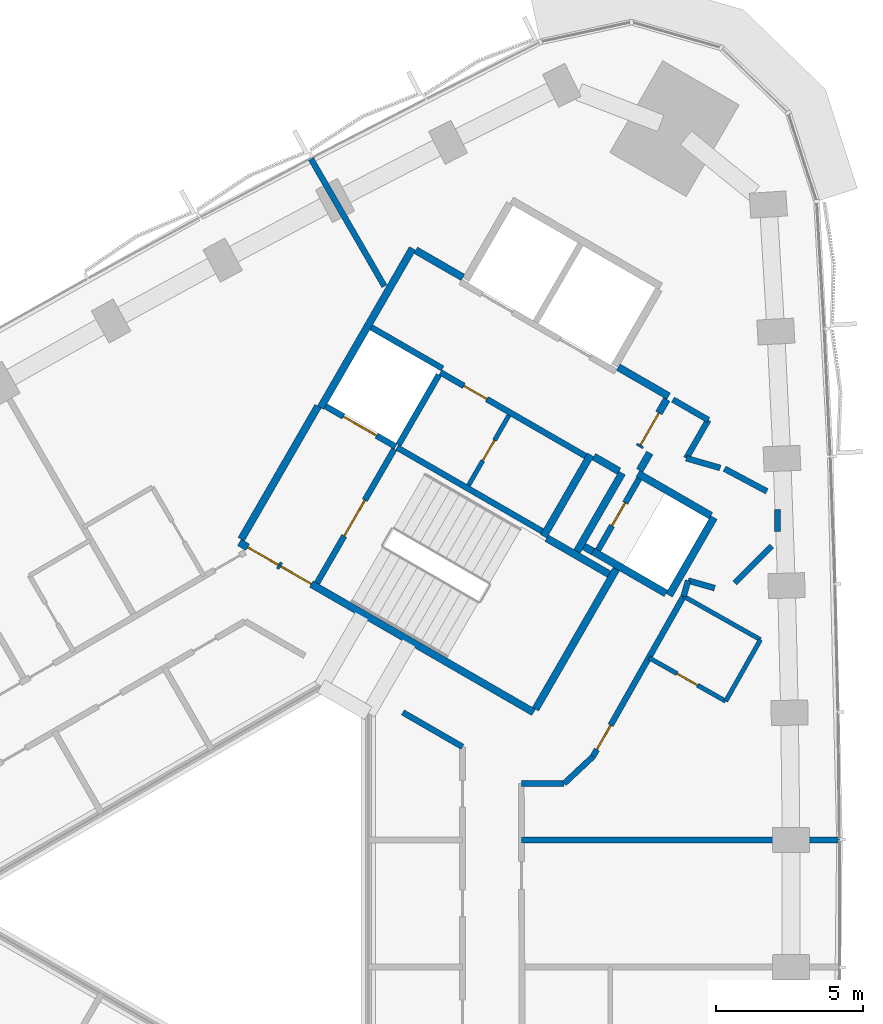
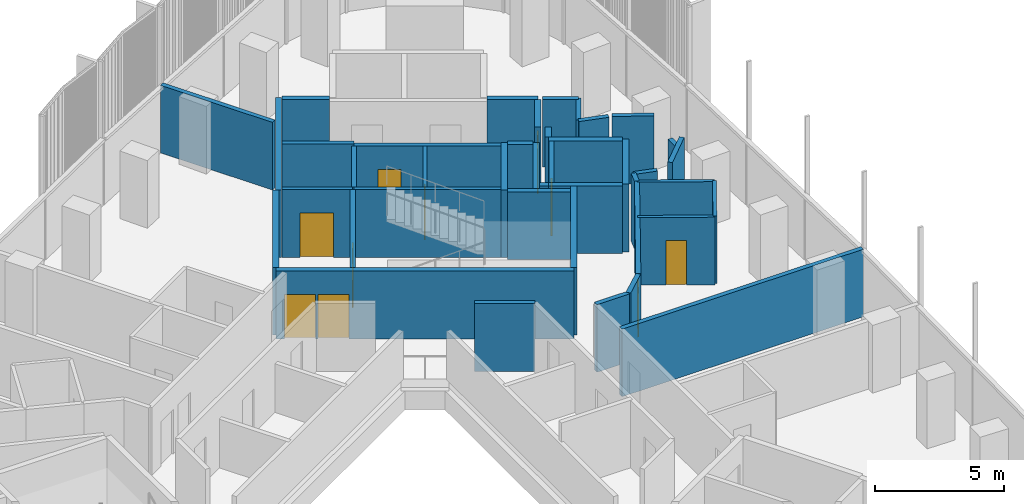
# One storey, part 11 of 15: 41 walls, 10 doors, 10 openings.
"""IFC4 building model written with IfcOpenShell, lengths in metres."""

from ifc_helpers import new_model, si_unit, direction, frame, frame_2d, origin, place, context, subcontext, project, spatial, rectangle, extrude, material, layer, layer_set, type_object, element, fill, save


model = new_model("IFC4")

# Units and contexts
model_context = context("Model", 3, precision=1e-05, world=origin(), true_north=direction((0.0, 1.0)))
body_context = subcontext(model_context, "Body", "Model", "MODEL_VIEW")
ifc_project = project(units=[si_unit("LENGTHUNIT", "METRE"), si_unit("AREAUNIT", "SQUARE_METRE"), si_unit("VOLUMEUNIT", "CUBIC_METRE"), si_unit("PLANEANGLEUNIT", "RADIAN"), si_unit("MASSUNIT", "GRAM", prefix="KILO")], contexts=[model_context])

# Site, building, storey
site_placement = place(None, origin())
site = spatial("IfcSite", under=ifc_project, at=site_placement, CompositionType="ELEMENT")
building_placement = place(site_placement, origin())
building = spatial("IfcBuilding", under=site, at=building_placement, Name="Tamra Quay Hotel Tower", CompositionType="ELEMENT")
storey_placement = place(building_placement, frame((0.0, 0.0, 157.60009765625)))
storey = spatial("IfcBuildingStorey", under=building, at=storey_placement, Name="L39", CompositionType="ELEMENT", Elevation=157.60009765625)

# Wall
ifc_material_1 = material(Name="Concrete M70", Category="concrete")
ifc_layer_1 = layer(ifc_material_1, 0.199951171875)
ifc_layer_set_1 = layer_set([ifc_layer_1], Name="Concrete M70 core wall 200")
wall_type_1 = type_object("IfcWallType", Name="Concrete M70 core wall 200", PredefinedType="SHEAR", material=ifc_layer_set_1)
wall_1_placement = place(storey_placement, frame((5.774658203125, 15.501953125, 0.0), z_axis=(0.0, 0.0, 1.0), x_axis=(0.866020080793, -0.500009219579, 0.0)))
element("IfcWall", 1, at=wall_1_placement, inside=storey, type_object=wall_type_1, Name="CW2", PredefinedType="SHEAR", context=body_context, shape_type="SweptSolid", body=[
    extrude(rectangle(XDim=5.69921875, YDim=0.199951171875, at=frame_2d((2.849609375, 0.0))), origin(), (0.0, 0.0, 1.0), 3.199951171875),
])

# Wall, opening, door
wall_2_placement = place(storey_placement, frame((12.18505859375, 15.20703125, 0.0), z_axis=(0.0, 0.0, 1.0), x_axis=(-0.866020080793, 0.500009219579, 0.0)))
wall_2 = element("IfcWall", 2, at=wall_2_placement, inside=storey, type_object=wall_type_1, Name="CW2", PredefinedType="SHEAR", context=body_context, shape_type="SweptSolid", body=[
    extrude(rectangle(XDim=5.69921875, YDim=0.199951171875, at=frame_2d((2.849609375, 0.0))), origin(), (0.0, 0.0, 1.0), 3.199951171875),
])
opening_1_placement = place(wall_2_placement, frame((3.8740234375, 0.0, 0.0)))
opening_1 = element("IfcOpeningElement", 3, at=opening_1_placement, cuts=wall_2, Name="Opening D2", PredefinedType="OPENING", context=body_context, shape_type="SweptSolid", body=[
    extrude(rectangle(XDim=0.89990234375, YDim=2.10009765625, at=frame_2d((0.449951171875, 1.050048828125))), frame((0.0, 0.10986328125, 0.0), z_axis=(0.0, -1.0, 0.0), x_axis=(1.0, 0.0, 0.0)), (0.0, 0.0, 1.0), 0.219970703125),
])
ifc_material_2 = material(Name="Core door D2 900x2100 RH")
door_type_1 = type_object("IfcDoorType", Name="Core door D2 900x2100 RH", OperationType="NOTDEFINED", PredefinedType="DOOR", material=ifc_material_2)
door_1_placement = place(opening_1_placement, origin())
door_1 = element("IfcDoor", 4, at=door_1_placement, inside=storey, type_object=door_type_1, Name="D2", OperationType="SINGLE_SWING_RIGHT", OverallHeight=2.10009765625, OverallWidth=0.89990234375, PredefinedType="DOOR", context=body_context, shape_type="SweptSolid", body=[
    extrude(rectangle(XDim=0.89990234375, YDim=2.10009765625, at=frame_2d((0.449951171875, 1.050048828125))), frame((0.0, 0.02490234375, 0.0), z_axis=(0.0, -1.0, 0.0), x_axis=(1.0, 0.0, 0.0)), (0.0, 0.0, 1.0), 0.050048828125),
])
fill(opening_1, door_1)

wall_3_placement = place(storey_placement, frame((3.056640625, 10.89453125, 0.0), z_axis=(0.0, 0.0, 1.0), x_axis=(0.499989418164, 0.866031513124, 0.0)))
wall_3 = element("IfcWall", 5, at=wall_3_placement, inside=storey, type_object=wall_type_1, Name="CW2", PredefinedType="SHEAR", context=body_context, shape_type="SweptSolid", body=[
    extrude(rectangle(XDim=5.2509765625, YDim=0.199951171875, at=frame_2d((2.62548828125, 0.0))), origin(), (0.0, 0.0, 1.0), 3.199951171875),
])
opening_2_placement = place(wall_3_placement, frame((1.84912109375, 0.0, 0.0)))
opening_2 = element("IfcOpeningElement", 6, at=opening_2_placement, cuts=wall_3, Name="Opening FD2", PredefinedType="OPENING", context=body_context, shape_type="SweptSolid", body=[
    extrude(rectangle(XDim=1.39990234375, YDim=2.10009765625, at=frame_2d((0.699951171875, 1.050048828125))), frame((0.0, 0.10986328125, 0.0), z_axis=(0.0, -1.0, 0.0), x_axis=(1.0, 0.0, 0.0)), (0.0, 0.0, 1.0), 0.219970703125),
])
ifc_material_3 = material(Name="Core door FD2 1400x2100 LH")
door_type_2 = type_object("IfcDoorType", Name="Core door FD2 1400x2100 LH", OperationType="NOTDEFINED", PredefinedType="DOOR", material=ifc_material_3)
door_2_placement = place(opening_2_placement, origin())
door_2 = element("IfcDoor", 7, at=door_2_placement, inside=storey, type_object=door_type_2, Name="FD2", OperationType="SINGLE_SWING_LEFT", OverallHeight=2.10009765625, OverallWidth=1.39990234375, PredefinedType="DOOR", context=body_context, shape_type="SweptSolid", body=[
    extrude(rectangle(XDim=1.39990234375, YDim=2.10009765625, at=frame_2d((0.699951171875, 1.050048828125))), frame((0.0, 0.02490234375, 0.0), z_axis=(0.0, -1.0, 0.0), x_axis=(1.0, 0.0, 0.0)), (0.0, 0.0, 1.0), 0.050048828125),
])
fill(opening_2, door_2)

wall_4_placement = place(storey_placement, frame((14.0078125, 14.442138671875, 0.0), z_axis=(0.0, 0.0, 1.0), x_axis=(-0.499986818241, -0.866033014143, 0.0)))
wall_4 = element("IfcWall", 8, at=wall_4_placement, inside=storey, type_object=wall_type_1, Name="CW2", PredefinedType="SHEAR", context=body_context, shape_type="SweptSolid", body=[
    extrude(rectangle(XDim=2.7978515625, YDim=0.199951171875, at=frame_2d((1.39892578125, 0.0))), origin(), (0.0, 0.0, 1.0), 3.199951171875),
])
opening_3_placement = place(wall_4_placement, frame((0.948974609375, 0.0, 0.0)))
opening_3 = element("IfcOpeningElement", 9, at=opening_3_placement, cuts=wall_4, Name="Opening D1", PredefinedType="OPENING", context=body_context, shape_type="SweptSolid", body=[
    extrude(rectangle(XDim=0.89990234375, YDim=2.10009765625, at=frame_2d((0.449951171875, 1.050048828125))), frame((0.0, 0.10986328125, 0.0), z_axis=(0.0, -1.0, 0.0), x_axis=(1.0, 0.0, 0.0)), (0.0, 0.0, 1.0), 0.219970703125),
])
ifc_material_4 = material(Name="Core door D1 900x2100 LH")
door_type_3 = type_object("IfcDoorType", Name="Core door D1 900x2100 LH", OperationType="NOTDEFINED", PredefinedType="DOOR", material=ifc_material_4)
door_3_placement = place(opening_3_placement, origin())
door_3 = element("IfcDoor", 10, at=door_3_placement, inside=storey, type_object=door_type_3, Name="D1", OperationType="SINGLE_SWING_LEFT", OverallHeight=2.10009765625, OverallWidth=0.89990234375, PredefinedType="DOOR", context=body_context, shape_type="SweptSolid", body=[
    extrude(rectangle(XDim=0.89990234375, YDim=2.10009765625, at=frame_2d((0.449951171875, 1.050048828125))), frame((0.0, 0.02490234375, 0.0), z_axis=(0.0, -1.0, 0.0), x_axis=(1.0, 0.0, 0.0)), (0.0, 0.0, 1.0), 0.050048828125),
])
fill(opening_3, door_3)

# Wall
wall_5_placement = place(storey_placement, frame((7.199462890625, 17.969970703125, 0.0), z_axis=(0.0, 0.0, 1.0), x_axis=(-0.499968400327, -0.866043647095, 0.0)))
element("IfcWall", 11, at=wall_5_placement, inside=storey, type_object=wall_type_1, Name="CW2", PredefinedType="SHEAR", context=body_context, shape_type="SweptSolid", body=[
    extrude(rectangle(XDim=2.749755859375, YDim=0.199951171875, at=frame_2d((1.375, 0.0))), origin(), (0.0, 0.0, 1.0), 3.199951171875),
])

# Wall, opening, door
wall_6_placement = place(storey_placement, frame((5.72509765625, 15.530517578125, 0.0), z_axis=(0.0, 0.0, 1.0), x_axis=(-0.866037306777, 0.499979382845, 0.0)))
wall_6 = element("IfcWall", 12, at=wall_6_placement, inside=storey, type_object=wall_type_1, Name="CW2", PredefinedType="SHEAR", context=body_context, shape_type="SweptSolid", body=[
    extrude(rectangle(XDim=2.74169921875, YDim=0.199951171875, at=frame_2d((1.370849609375, 0.0))), origin(), (0.0, 0.0, 1.0), 3.199951171875),
])
opening_4_placement = place(wall_6_placement, frame((0.742919921875, 0.0, 0.0)))
opening_4 = element("IfcOpeningElement", 13, at=opening_4_placement, cuts=wall_6, Name="Opening LD", PredefinedType="OPENING", context=body_context, shape_type="SweptSolid", body=[
    extrude(rectangle(XDim=1.300048828125, YDim=2.10009765625, at=frame_2d((0.64990234375, 1.050048828125))), frame((0.0, 0.10986328125, 0.0), z_axis=(0.0, -1.0, 0.0), x_axis=(1.0, 0.0, 0.0)), (0.0, 0.0, 1.0), 0.219970703125),
])
ifc_material_5 = material(Name="Landing door LD 1300 sliding to left")
door_type_4 = type_object("IfcDoorType", Name="Landing door LD 1300 sliding to left", OperationType="NOTDEFINED", PredefinedType="DOOR", material=ifc_material_5)
door_4_placement = place(opening_4_placement, origin())
door_4 = element("IfcDoor", 14, at=door_4_placement, inside=storey, type_object=door_type_4, Name="LD", OperationType="SLIDING_TO_LEFT", OverallHeight=2.10009765625, OverallWidth=1.300048828125, PredefinedType="DOOR", context=body_context, shape_type="SweptSolid", body=[
    extrude(rectangle(XDim=1.300048828125, YDim=2.10009765625, at=frame_2d((0.64990234375, 1.050048828125))), frame((0.0, 0.02490234375, 0.0), z_axis=(0.0, -1.0, 0.0), x_axis=(1.0, 0.0, 0.0)), (0.0, 0.0, 1.0), 0.050048828125),
])
fill(opening_4, door_4)

# Wall
wall_7_placement = place(storey_placement, frame((4.900634765625, 19.5859375, 0.0), z_axis=(0.0, 0.0, 1.0), x_axis=(0.866022890907, -0.500004352405, 0.0)))
element("IfcWall", 15, at=wall_7_placement, inside=storey, type_object=wall_type_1, Name="CW2", PredefinedType="SHEAR", context=body_context, shape_type="SweptSolid", body=[
    extrude(rectangle(XDim=2.798828125, YDim=0.199951171875, at=frame_2d((1.3994140625, 0.0))), origin(), (0.0, 0.0, 1.0), 3.199951171875),
])

# Wall, openings, doors
ifc_layer_2 = layer(ifc_material_1, 0.25)
ifc_layer_set_2 = layer_set([ifc_layer_2], Name="Concrete M70 core wall 250")
wall_type_2 = type_object("IfcWallType", Name="Concrete M70 core wall 250", PredefinedType="SHEAR", material=ifc_layer_set_2)
wall_8_placement = place(storey_placement, frame((10.419921875, 6.497802734375, 0.0), z_axis=(0.0, 0.0, 1.0), x_axis=(-0.866021906294, 0.500006057782, 0.0)))
wall_8 = element("IfcWall", 16, at=wall_8_placement, inside=storey, type_object=wall_type_2, Name="CW1", PredefinedType="SHEAR", context=body_context, shape_type="SweptSolid", body=[
    extrude(rectangle(XDim=11.550048828125, YDim=0.25, at=frame_2d((5.77490234375, 0.0))), origin(), (0.0, 0.0, 1.0), 3.199951171875),
])
opening_5_placement = place(wall_8_placement, frame((10.02490234375, 0.0, 0.0)))
opening_5 = element("IfcOpeningElement", 17, at=opening_5_placement, cuts=wall_8, Name="Opening FD1", PredefinedType="OPENING", context=body_context, shape_type="SweptSolid", body=[
    extrude(rectangle(XDim=1.199951171875, YDim=2.10009765625, at=frame_2d((0.60009765625, 1.050048828125))), frame((0.0, 0.135009765625, 0.0), z_axis=(0.0, -1.0, 0.0), x_axis=(1.0, 0.0, 0.0)), (0.0, 0.0, 1.0), 0.27001953125),
])
opening_6_placement = place(wall_8_placement, frame((8.724853515625, 0.0, 0.0)))
opening_6 = element("IfcOpeningElement", 18, at=opening_6_placement, cuts=wall_8, Name="Opening FD1", PredefinedType="OPENING", context=body_context, shape_type="SweptSolid", body=[
    extrude(rectangle(XDim=1.199951171875, YDim=2.10009765625, at=frame_2d((0.60009765625, 1.050048828125))), frame((0.0, 0.135009765625, 0.0), z_axis=(0.0, -1.0, 0.0), x_axis=(1.0, 0.0, 0.0)), (0.0, 0.0, 1.0), 0.27001953125),
])
ifc_material_6 = material(Name="Core door FD1 1200x2100 LH")
door_type_5 = type_object("IfcDoorType", Name="Core door FD1 1200x2100 LH", OperationType="NOTDEFINED", PredefinedType="DOOR", material=ifc_material_6)
door_5_placement = place(opening_5_placement, origin())
door_5 = element("IfcDoor", 19, at=door_5_placement, inside=storey, type_object=door_type_5, Name="FD1", OperationType="SINGLE_SWING_LEFT", OverallHeight=2.10009765625, OverallWidth=1.199951171875, PredefinedType="DOOR", context=body_context, shape_type="SweptSolid", body=[
    extrude(rectangle(XDim=1.199951171875, YDim=2.10009765625, at=frame_2d((0.60009765625, 1.050048828125))), frame((0.0, 0.02490234375, 0.0), z_axis=(0.0, -1.0, 0.0), x_axis=(1.0, 0.0, 0.0)), (0.0, 0.0, 1.0), 0.050048828125),
])
fill(opening_5, door_5)
ifc_material_7 = material(Name="Core door FD1 1200x2100 RH")
door_type_6 = type_object("IfcDoorType", Name="Core door FD1 1200x2100 RH", OperationType="NOTDEFINED", PredefinedType="DOOR", material=ifc_material_7)
door_6_placement = place(opening_6_placement, origin())
door_6 = element("IfcDoor", 20, at=door_6_placement, inside=storey, type_object=door_type_6, Name="FD1", OperationType="SINGLE_SWING_RIGHT", OverallHeight=2.10009765625, OverallWidth=1.199951171875, PredefinedType="DOOR", context=body_context, shape_type="SweptSolid", body=[
    extrude(rectangle(XDim=1.199951171875, YDim=2.10009765625, at=frame_2d((0.60009765625, 1.050048828125))), frame((0.0, 0.02490234375, 0.0), z_axis=(0.0, -1.0, 0.0), x_axis=(1.0, 0.0, 0.0)), (0.0, 0.0, 1.0), 0.050048828125),
])
fill(opening_6, door_6)

# Walls
wall_9_placement = place(storey_placement, frame((3.178955078125, 16.856201171875, 0.0), z_axis=(0.0, 0.0, 1.0), x_axis=(0.500004234368, 0.866022959057, 0.0)))
element("IfcWall", 21, at=wall_9_placement, inside=storey, type_object=wall_type_2, Name="CW1", PredefinedType="SHEAR", context=body_context, shape_type="SweptSolid", body=[
    extrude(rectangle(XDim=6.25, YDim=0.25, at=frame_2d((3.125, 0.0))), origin(), (0.0, 0.0, 1.0), 3.199951171875),
])
wall_10_placement = place(storey_placement, frame((0.47998046875, 12.38134765625, 0.0), z_axis=(0.0, 0.0, 1.0), x_axis=(0.49999885962, 0.866026062182, 0.0)))
element("IfcWall", 22, at=wall_10_placement, inside=storey, type_object=wall_type_2, Name="CW1", PredefinedType="SHEAR", context=body_context, shape_type="SweptSolid", body=[
    extrude(rectangle(XDim=5.224609375, YDim=0.25, at=frame_2d((2.6123046875, 0.0))), origin(), (0.0, 0.0, 1.0), 3.199951171875),
])
wall_11_placement = place(storey_placement, frame((13.237548828125, 11.3779296875, 0.0), z_axis=(0.0, 0.0, 1.0), x_axis=(-0.500008851346, -0.866020293397, 0.0)))
element("IfcWall", 23, at=wall_11_placement, inside=storey, type_object=wall_type_2, Name="CW1", PredefinedType="SHEAR", context=body_context, shape_type="SweptSolid", body=[
    extrude(rectangle(XDim=5.509765625, YDim=0.25, at=frame_2d((2.7548828125, 0.0))), origin(), (0.0, 0.0, 1.0), 3.199951171875),
])
wall_12_placement = place(storey_placement, frame((12.356689453125, 15.25244140625, 0.0), z_axis=(0.0, 0.0, 1.0), x_axis=(-0.500028443584, -0.866008981251, 0.0)))
element("IfcWall", 24, at=wall_12_placement, inside=storey, type_object=wall_type_2, Name="CW1", PredefinedType="SHEAR", context=body_context, shape_type="SweptSolid", body=[
    extrude(rectangle(XDim=3.199951171875, YDim=0.25, at=frame_2d((1.60009765625, 0.0))), origin(), (0.0, 0.0, 1.0), 3.199951171875),
])
wall_13_placement = place(storey_placement, frame((16.552001953125, 13.118896484375, 0.0), z_axis=(0.0, 0.0, 1.0), x_axis=(-0.499978833458, -0.866037623948, 0.0)))
element("IfcWall", 25, at=wall_13_placement, inside=storey, type_object=wall_type_2, Name="CW1", PredefinedType="SHEAR", context=body_context, shape_type="SweptSolid", body=[
    extrude(rectangle(XDim=3.050048828125, YDim=0.25, at=frame_2d((1.52490234375, 0.0))), origin(), (0.0, 0.0, 1.0), 3.199951171875),
])
wall_14_placement = place(storey_placement, frame((14.91845703125, 10.540283203125, 0.0), z_axis=(0.0, 0.0, 1.0), x_axis=(-0.866063538972, 0.499933942099, 0.0)))
element("IfcWall", 26, at=wall_14_placement, inside=storey, type_object=wall_type_2, Name="CW1", PredefinedType="SHEAR", context=body_context, shape_type="SweptSolid", body=[
    extrude(rectangle(XDim=2.86474609375, YDim=0.25, at=frame_2d((1.432373046875, 0.0))), origin(), (0.0, 0.0, 1.0), 3.199951171875),
])
wall_15_placement = place(storey_placement, frame((13.962646484375, 14.61376953125, 0.0), z_axis=(0.0, 0.0, 1.0), x_axis=(0.866042235819, -0.499970844928, 0.0)))
element("IfcWall", 27, at=wall_15_placement, inside=storey, type_object=wall_type_2, Name="CW1", PredefinedType="SHEAR", context=body_context, shape_type="SweptSolid", body=[
    extrude(rectangle(XDim=2.864501953125, YDim=0.25, at=frame_2d((1.43212890625, 0.0))), origin(), (0.0, 0.0, 1.0), 3.199951171875),
])
wall_16_placement = place(storey_placement, frame((11.887939453125, 11.960693359375, 0.0), z_axis=(0.0, 0.0, 1.0), x_axis=(0.500003324108, 0.866023484601, 0.0)))
element("IfcWall", 28, at=wall_16_placement, inside=storey, type_object=wall_type_2, Name="CW1", PredefinedType="SHEAR", context=body_context, shape_type="SweptSolid", body=[
    extrude(rectangle(XDim=3.0849609375, YDim=0.25, at=frame_2d((1.54248046875, 0.0))), origin(), (0.0, 0.0, 1.0), 3.199951171875),
])
wall_17_placement = place(storey_placement, frame((10.865234375, 12.41845703125, 0.0), z_axis=(0.0, 0.0, 1.0), x_axis=(0.866026229868, -0.499998569178, 0.0)))
element("IfcWall", 29, at=wall_17_placement, inside=storey, type_object=wall_type_2, Name="CW1", PredefinedType="SHEAR", context=body_context, shape_type="SweptSolid", body=[
    extrude(rectangle(XDim=2.44921875, YDim=0.25, at=frame_2d((1.224609375, 0.0))), origin(), (0.0, 0.0, 1.0), 3.199951171875),
])
wall_18_placement = place(storey_placement, frame((13.29736328125, 18.23095703125, 0.0), z_axis=(0.0, 0.0, 1.0), x_axis=(0.866043531843, -0.499968599967, 0.0)))
element("IfcWall", 30, at=wall_18_placement, inside=storey, type_object=wall_type_2, Name="CW1", PredefinedType="SHEAR", context=body_context, shape_type="SweptSolid", body=[
    extrude(rectangle(XDim=1.974853515625, YDim=0.25, at=frame_2d((0.9873046875, 0.0))), origin(), (0.0, 0.0, 1.0), 3.199951171875),
])
wall_19_placement = place(storey_placement, frame((6.41259765625, 22.2060546875, 0.0), z_axis=(0.0, 0.0, 1.0), x_axis=(0.866016279763, -0.500015802937, 0.0)))
element("IfcWall", 31, at=wall_19_placement, inside=storey, type_object=wall_type_2, Name="CW1", PredefinedType="SHEAR", context=body_context, shape_type="SweptSolid", body=[
    extrude(rectangle(XDim=1.84912109375, YDim=0.25, at=frame_2d((0.924560546875, 0.0))), origin(), (0.0, 0.0, 1.0), 3.199951171875),
])

# Wall, opening, door
wall_20_placement = place(storey_placement, frame((14.94482421875, 17.13525390625, 0.0), z_axis=(0.0, 0.0, 1.0), x_axis=(-0.499983108224, -0.866035156036, 0.0)))
wall_20 = element("IfcWall", 32, at=wall_20_placement, inside=storey, type_object=wall_type_2, Name="CW1", PredefinedType="SHEAR", context=body_context, shape_type="SweptSolid", body=[
    extrude(rectangle(XDim=1.86474609375, YDim=0.25, at=frame_2d((0.932373046875, 0.0))), origin(), (0.0, 0.0, 1.0), 3.199951171875),
])
opening_7_placement = place(wall_20_placement, frame((0.53466796875, 0.0, 0.0)))
opening_7 = element("IfcOpeningElement", 33, at=opening_7_placement, cuts=wall_20, Name="Opening FD3", PredefinedType="OPENING", context=body_context, shape_type="SweptSolid", body=[
    extrude(rectangle(XDim=1.25, YDim=2.10009765625, at=frame_2d((0.625, 1.050048828125))), frame((0.0, 0.135009765625, 0.0), z_axis=(0.0, -1.0, 0.0), x_axis=(1.0, 0.0, 0.0)), (0.0, 0.0, 1.0), 0.27001953125),
])
ifc_material_8 = material(Name="Core door FD3 1250x2100 LH")
door_type_7 = type_object("IfcDoorType", Name="Core door FD3 1250x2100 LH", OperationType="NOTDEFINED", PredefinedType="DOOR", material=ifc_material_8)
door_7_placement = place(opening_7_placement, origin())
door_7 = element("IfcDoor", 34, at=door_7_placement, inside=storey, type_object=door_type_7, Name="FD3", OperationType="SINGLE_SWING_LEFT", OverallHeight=2.10009765625, OverallWidth=1.25, PredefinedType="DOOR", context=body_context, shape_type="SweptSolid", body=[
    extrude(rectangle(XDim=1.25, YDim=2.10009765625, at=frame_2d((0.625, 1.050048828125))), frame((0.0, 0.02490234375, 0.0), z_axis=(0.0, -1.0, 0.0), x_axis=(1.0, 0.0, 0.0)), (0.0, 0.0, 1.0), 0.050048828125),
])
fill(opening_7, door_7)

# Walls
wall_21_placement = place(storey_placement, frame((13.322021484375, 14.695068359375, 0.0), z_axis=(0.0, 0.0, 1.0), x_axis=(-0.866017078145, 0.500014420154, 0.0)))
element("IfcWall", 35, at=wall_21_placement, inside=storey, type_object=wall_type_2, Name="CW1", PredefinedType="SHEAR", context=body_context, shape_type="SweptSolid", body=[
    extrude(rectangle(XDim=0.9892578125, YDim=0.25, at=frame_2d((0.49462890625, 0.0))), origin(), (0.0, 0.0, 1.0), 3.199951171875),
])
wall_22_placement = place(storey_placement, frame((14.36767578125, 15.3154296875, 0.0), z_axis=(0.0, 0.0, 1.0), x_axis=(-0.499897359611, -0.866084655132, 0.0)))
element("IfcWall", 36, at=wall_22_placement, inside=storey, type_object=wall_type_2, Name="CW1", PredefinedType="SHEAR", context=body_context, shape_type="SweptSolid", body=[
    extrude(rectangle(XDim=0.684814453125, YDim=0.25, at=frame_2d((0.34228515625, 0.0))), origin(), (0.0, 0.0, 1.0), 3.199951171875),
])
wall_23_placement = place(storey_placement, frame((12.4326171875, 11.9638671875, 0.0), z_axis=(0.0, 0.0, 1.0), x_axis=(-0.866055875208, 0.499947218231, 0.0)))
element("IfcWall", 37, at=wall_23_placement, inside=storey, type_object=wall_type_2, Name="CW1", PredefinedType="SHEAR", context=body_context, shape_type="SweptSolid", body=[
    extrude(rectangle(XDim=0.3447265625, YDim=0.25, at=frame_2d((0.17236328125, 0.0))), origin(), (0.0, 0.0, 1.0), 3.199951171875),
])

# Wall, opening, door
ifc_material_9 = material(Name="Blockwork", Category="masonry")
ifc_layer_3 = layer(ifc_material_9, 0.14990234375)
ifc_layer_set_3 = layer_set([ifc_layer_3], Name="Core partition block 150")
wall_type_3 = type_object("IfcWallType", Name="Core partition block 150", PredefinedType="PARTITIONING", material=ifc_layer_set_3)
wall_24_placement = place(storey_placement, frame((8.20654296875, 14.214111328125, 0.0), z_axis=(0.0, 0.0, 1.0), x_axis=(0.499922376475, 0.866070215109, 0.0)))
wall_24 = element("IfcWall", 38, at=wall_24_placement, inside=storey, type_object=wall_type_3, Name="CP1", PredefinedType="PARTITIONING", context=body_context, shape_type="SweptSolid", body=[
    extrude(rectangle(XDim=2.74853515625, YDim=0.14990234375, at=frame_2d((1.374267578125, 0.0))), origin(), (0.0, 0.0, 1.0), 3.199951171875),
])
opening_8_placement = place(wall_24_placement, frame((0.97412109375, 0.0, 0.0)))
opening_8 = element("IfcOpeningElement", 39, at=opening_8_placement, cuts=wall_24, Name="Opening D3", PredefinedType="OPENING", context=body_context, shape_type="SweptSolid", body=[
    extrude(rectangle(XDim=0.800048828125, YDim=2.10009765625, at=frame_2d((0.39990234375, 1.050048828125))), frame((0.0, 0.0849609375, 0.0), z_axis=(0.0, -1.0, 0.0), x_axis=(1.0, 0.0, 0.0)), (0.0, 0.0, 1.0), 0.169921875),
])
ifc_material_10 = material(Name="Core door D3 800x2100 RH")
door_type_8 = type_object("IfcDoorType", Name="Core door D3 800x2100 RH", OperationType="NOTDEFINED", PredefinedType="DOOR", material=ifc_material_10)
door_8_placement = place(opening_8_placement, origin())
door_8 = element("IfcDoor", 40, at=door_8_placement, inside=storey, type_object=door_type_8, Name="D3", OperationType="SINGLE_SWING_RIGHT", OverallHeight=2.10009765625, OverallWidth=0.800048828125, PredefinedType="DOOR", context=body_context, shape_type="SweptSolid", body=[
    extrude(rectangle(XDim=0.800048828125, YDim=2.10009765625, at=frame_2d((0.39990234375, 1.050048828125))), frame((0.0, 0.02490234375, 0.0), z_axis=(0.0, -1.0, 0.0), x_axis=(1.0, 0.0, 0.0)), (0.0, 0.0, 1.0), 0.050048828125),
])
fill(opening_8, door_8)

# Walls
ifc_material_11 = material(Name="Partition corridor wall")
ifc_layer_4 = layer(ifc_material_11, 0.199951171875)
ifc_layer_set_4 = layer_set([ifc_layer_4], Name="Partition corridor wall")
wall_type_4 = type_object("IfcWallType", Name="Partition corridor wall", PredefinedType="PARTITIONING", material=ifc_layer_set_4)
wall_25_placement = place(storey_placement, frame((5.972900390625, 6.49609375, 0.0), z_axis=(0.0, 0.0, 1.0), x_axis=(0.866058792507, -0.499942164577, 0.0)))
element("IfcWall", 41, at=wall_25_placement, inside=storey, type_object=wall_type_4, Name="W-C", PredefinedType="PARTITIONING", context=body_context, shape_type="SweptSolid", body=[
    extrude(rectangle(XDim=2.340576171875, YDim=0.199951171875, at=frame_2d((1.17041015625, 0.0))), origin(), (0.0, 0.0, 1.0), 3.199951171875),
])
wall_26_placement = place(storey_placement, frame((10.0, 4.077880859375, 0.0), z_axis=(0.0, 0.0, 1.0), x_axis=(1.0, 0.0, 0.0)))
element("IfcWall", 42, at=wall_26_placement, inside=storey, type_object=wall_type_4, Name="W-C", PredefinedType="PARTITIONING", context=body_context, shape_type="SweptSolid", body=[
    extrude(rectangle(XDim=1.4580078125, YDim=0.199951171875, at=frame_2d((0.72900390625, 0.0))), origin(), (0.0, 0.0, 1.0), 3.199951171875),
])
wall_27_placement = place(storey_placement, frame((11.4580078125, 4.077880859375, 0.0), z_axis=(0.0, 0.0, 1.0), x_axis=(0.729936032318, 0.683515463412, 0.0)))
element("IfcWall", 43, at=wall_27_placement, inside=storey, type_object=wall_type_4, Name="W-C", PredefinedType="PARTITIONING", context=body_context, shape_type="SweptSolid", body=[
    extrude(rectangle(XDim=1.3359375, YDim=0.199951171875, at=frame_2d((0.66796875, 0.0))), origin(), (0.0, 0.0, 1.0), 3.199951171875),
])

# Wall, opening, door
wall_28_placement = place(storey_placement, frame((12.43310546875, 4.991943359375, 0.0), z_axis=(0.0, 0.0, 1.0), x_axis=(0.492618265192, 0.870245508348, 0.0)))
wall_28 = element("IfcWall", 44, at=wall_28_placement, inside=storey, type_object=wall_type_4, Name="W-C", PredefinedType="PARTITIONING", context=body_context, shape_type="SweptSolid", body=[
    extrude(rectangle(XDim=6.265380859375, YDim=0.199951171875, at=frame_2d((3.1328125, 0.0))), origin(), (0.0, 0.0, 1.0), 3.199951171875),
])
opening_9_placement = place(wall_28_placement, frame((0.277099609375, 0.0, 0.0)))
opening_9 = element("IfcOpeningElement", 45, at=opening_9_placement, cuts=wall_28, Name="Opening L39-D004", PredefinedType="OPENING", context=body_context, shape_type="SweptSolid", body=[
    extrude(rectangle(XDim=0.949951171875, YDim=2.10009765625, at=frame_2d((0.47509765625, 1.050048828125))), frame((0.0, 0.10986328125, 0.0), z_axis=(0.0, -1.0, 0.0), x_axis=(1.0, 0.0, 0.0)), (0.0, 0.0, 1.0), 0.219970703125),
])
ifc_material_12 = material(Name="Door guest room 950x2100")
door_type_9 = type_object("IfcDoorType", Name="Door guest room 950x2100", OperationType="NOTDEFINED", PredefinedType="DOOR", material=ifc_material_12)
door_9_placement = place(opening_9_placement, origin())
door_9 = element("IfcDoor", 46, at=door_9_placement, inside=storey, type_object=door_type_9, Name="L39-D004", OperationType="SINGLE_SWING_LEFT", OverallHeight=2.10009765625, OverallWidth=0.949951171875, PredefinedType="DOOR", context=body_context, shape_type="SweptSolid", body=[
    extrude(rectangle(XDim=0.949951171875, YDim=2.10009765625, at=frame_2d((0.47509765625, 1.050048828125))), frame((0.0, 0.02490234375, 0.0), z_axis=(0.0, -1.0, 0.0), x_axis=(1.0, 0.0, 0.0)), (0.0, 0.0, 1.0), 0.050048828125),
])
fill(opening_9, door_9)

# Walls
wall_29_placement = place(storey_placement, frame((15.155517578125, 17.130126953125, 0.0), z_axis=(0.0, 0.0, 1.0), x_axis=(0.865755062894, -0.500467952093, 0.0)))
element("IfcWall", 47, at=wall_29_placement, inside=storey, type_object=wall_type_4, Name="W-C", PredefinedType="PARTITIONING", context=body_context, shape_type="SweptSolid", body=[
    extrude(rectangle(XDim=1.388916015625, YDim=0.199951171875, at=frame_2d((0.6943359375, 0.0))), origin(), (0.0, 0.0, 1.0), 3.199951171875),
])
wall_30_placement = place(storey_placement, frame((15.52001953125, 10.444091796875, 0.0), z_axis=(0.0, 0.0, 1.0), x_axis=(0.273965995931, 0.961739378976, 0.0)))
element("IfcWall", 48, at=wall_30_placement, inside=storey, type_object=wall_type_4, Name="W-C", PredefinedType="PARTITIONING", context=body_context, shape_type="SweptSolid", body=[
    extrude(rectangle(XDim=0.55517578125, YDim=0.199951171875, at=frame_2d((0.277587890625, 0.0))), origin(), (0.0, 0.0, 1.0), 3.199951171875),
])
wall_31_placement = place(storey_placement, frame((15.60888671875, 15.135986328125, 0.0), z_axis=(0.0, 0.0, 1.0), x_axis=(0.499501622561, 0.866312950993, 0.0)))
element("IfcWall", 49, at=wall_31_placement, inside=storey, type_object=wall_type_4, Name="W-C", PredefinedType="PARTITIONING", context=body_context, shape_type="SweptSolid", body=[
    extrude(rectangle(XDim=1.49951171875, YDim=0.199951171875, at=frame_2d((0.749755859375, 0.0))), origin(), (0.0, 0.0, 1.0), 3.199951171875),
])
wall_32_placement = place(storey_placement, frame((15.60888671875, 15.135986328125, 0.0), z_axis=(0.0, 0.0, 1.0), x_axis=(0.961662011825, -0.274237442763, 0.0)))
element("IfcWall", 50, at=wall_32_placement, inside=storey, type_object=wall_type_4, Name="W-C", PredefinedType="PARTITIONING", context=body_context, shape_type="SweptSolid", body=[
    extrude(rectangle(XDim=1.199951171875, YDim=0.199951171875, at=frame_2d((0.60009765625, 0.0))), origin(), (0.0, 0.0, 1.0), 3.199951171875),
])
wall_33_placement = place(storey_placement, frame((15.672119140625, 10.97802734375, 0.0), z_axis=(0.0, 0.0, 1.0), x_axis=(0.961612403256, -0.274411344344, 0.0)))
element("IfcWall", 51, at=wall_33_placement, inside=storey, type_object=wall_type_4, Name="W-C", PredefinedType="PARTITIONING", context=body_context, shape_type="SweptSolid", body=[
    extrude(rectangle(XDim=0.936767578125, YDim=0.199951171875, at=frame_2d((0.46826171875, 0.0))), origin(), (0.0, 0.0, 1.0), 3.199951171875),
])
wall_34_placement = place(storey_placement, frame((16.908935546875, 14.779052734375, 0.0), z_axis=(0.0, 0.0, 1.0), x_axis=(0.882045575366, -0.471164093472, 0.0)))
element("IfcWall", 52, at=wall_34_placement, inside=storey, type_object=wall_type_4, Name="W-C", PredefinedType="PARTITIONING", context=body_context, shape_type="SweptSolid", body=[
    extrude(rectangle(XDim=1.628173828125, YDim=0.199951171875, at=frame_2d((0.81396484375, 0.0))), origin(), (0.0, 0.0, 1.0), 3.199951171875),
])
wall_35_placement = place(storey_placement, frame((17.260009765625, 10.89892578125, 0.0), z_axis=(0.0, 0.0, 1.0), x_axis=(0.707106781187, 0.707106781187, 0.0)))
element("IfcWall", 53, at=wall_35_placement, inside=storey, type_object=wall_type_4, Name="W-C", PredefinedType="PARTITIONING", context=body_context, shape_type="SweptSolid", body=[
    extrude(rectangle(XDim=1.767822265625, YDim=0.199951171875, at=frame_2d((0.8837890625, 0.0))), origin(), (0.0, 0.0, 1.0), 3.199951171875),
])
wall_36_placement = place(storey_placement, frame((18.715087890625, 12.64404296875, 0.0), z_axis=(0.0, 0.0, 1.0), x_axis=(0.0, 1.0, 0.0)))
element("IfcWall", 54, at=wall_36_placement, inside=storey, type_object=wall_type_4, Name="W-C", PredefinedType="PARTITIONING", context=body_context, shape_type="SweptSolid", body=[
    extrude(rectangle(XDim=0.75, YDim=0.199951171875, at=frame_2d((0.375, 0.0))), origin(), (0.0, 0.0, 1.0), 2.2998046875),
])

# Wall, opening, door
ifc_material_13 = material(Name="Partition en-suite wall")
ifc_layer_5 = layer(ifc_material_13, 0.14990234375)
ifc_layer_set_5 = layer_set([ifc_layer_5], Name="Partition en-suite wall")
wall_type_5 = type_object("IfcWallType", Name="Partition en-suite wall", PredefinedType="PARTITIONING", material=ifc_layer_set_5)
wall_37_placement = place(storey_placement, frame((14.337890625, 8.35498046875, 0.0), z_axis=(0.0, 0.0, 1.0), x_axis=(0.870291117047, -0.49253768545, 0.0)))
wall_37 = element("IfcWall", 55, at=wall_37_placement, inside=storey, type_object=wall_type_5, Name="W-E", PredefinedType="PARTITIONING", context=body_context, shape_type="SweptSolid", body=[
    extrude(rectangle(XDim=2.996826171875, YDim=0.14990234375, at=frame_2d((1.49853515625, 0.0))), origin(), (0.0, 0.0, 1.0), 3.199951171875),
])
opening_10_placement = place(wall_37_placement, frame((1.099609375, 0.0, 0.0)))
opening_10 = element("IfcOpeningElement", 56, at=opening_10_placement, cuts=wall_37, Name="Opening L39-D005", PredefinedType="OPENING", context=body_context, shape_type="SweptSolid", body=[
    extrude(rectangle(XDim=0.800048828125, YDim=2.10009765625, at=frame_2d((0.39990234375, 1.050048828125))), frame((0.0, 0.0849609375, 0.0), z_axis=(0.0, -1.0, 0.0), x_axis=(1.0, 0.0, 0.0)), (0.0, 0.0, 1.0), 0.169921875),
])
ifc_material_14 = material(Name="Door en-suite 800x2100")
door_type_10 = type_object("IfcDoorType", Name="Door en-suite 800x2100", OperationType="NOTDEFINED", PredefinedType="DOOR", material=ifc_material_14)
door_10_placement = place(opening_10_placement, origin())
door_10 = element("IfcDoor", 57, at=door_10_placement, inside=storey, type_object=door_type_10, Name="L39-D005", OperationType="SINGLE_SWING_LEFT", OverallHeight=2.10009765625, OverallWidth=0.800048828125, PredefinedType="DOOR", context=body_context, shape_type="SweptSolid", body=[
    extrude(rectangle(XDim=0.800048828125, YDim=2.10009765625, at=frame_2d((0.39990234375, 1.050048828125))), frame((0.0, 0.02490234375, 0.0), z_axis=(0.0, -1.0, 0.0), x_axis=(1.0, 0.0, 0.0)), (0.0, 0.0, 1.0), 0.050048828125),
])
fill(opening_10, door_10)

# Walls
wall_38_placement = place(storey_placement, frame((15.52197265625, 10.44189453125, 0.0), z_axis=(0.0, 0.0, 1.0), x_axis=(0.870427634909, -0.492296386729, 0.0)))
element("IfcWall", 58, at=wall_38_placement, inside=storey, type_object=wall_type_5, Name="W-E", PredefinedType="PARTITIONING", context=body_context, shape_type="SweptSolid", body=[
    extrude(rectangle(XDim=2.993896484375, YDim=0.14990234375, at=frame_2d((1.4970703125, 0.0))), origin(), (0.0, 0.0, 1.0), 3.199951171875),
])
wall_39_placement = place(storey_placement, frame((16.949951171875, 6.881103515625, 0.0), z_axis=(0.0, 0.0, 1.0), x_axis=(0.49287361781, 0.870100911887, 0.0)))
element("IfcWall", 59, at=wall_39_placement, inside=storey, type_object=wall_type_5, Name="W-E", PredefinedType="PARTITIONING", context=body_context, shape_type="SweptSolid", body=[
    extrude(rectangle(XDim=2.39404296875, YDim=0.14990234375, at=frame_2d((1.197021484375, 0.0))), origin(), (0.0, 0.0, 1.0), 3.199951171875),
])
ifc_material_15 = material(Name="Partition party wall")
ifc_layer_6 = layer(ifc_material_15, 0.199951171875)
ifc_layer_set_6 = layer_set([ifc_layer_6], Name="Partition party wall")
wall_type_6 = type_object("IfcWallType", Name="Partition party wall", PredefinedType="PARTITIONING", material=ifc_layer_set_6)
wall_40_placement = place(storey_placement, frame((2.845458984375, 25.321044921875, 0.0), z_axis=(0.0, 0.0, 1.0), x_axis=(0.499751996305, -0.866168541445, 0.0)))
element("IfcWall", 60, at=wall_40_placement, inside=storey, type_object=wall_type_6, Name="W-P", PredefinedType="PARTITIONING", context=body_context, shape_type="SweptSolid", body=[
    extrude(rectangle(XDim=5.0078125, YDim=0.199951171875, at=frame_2d((2.50390625, 0.0))), origin(), (0.0, 0.0, 1.0), 3.199951171875),
])
wall_41_placement = place(storey_placement, frame((10.007080078125, 2.160888671875, 0.0), z_axis=(0.0, 0.0, 1.0), x_axis=(1.0, 0.0, 0.0)))
element("IfcWall", 61, at=wall_41_placement, inside=storey, type_object=wall_type_6, Name="W-P", PredefinedType="PARTITIONING", context=body_context, shape_type="SweptSolid", body=[
    extrude(rectangle(XDim=10.8076171875, YDim=0.199951171875, at=frame_2d((5.40380859375, 0.0))), origin(), (0.0, 0.0, 1.0), 3.199951171875),
])

save(model, "model.ifc")
